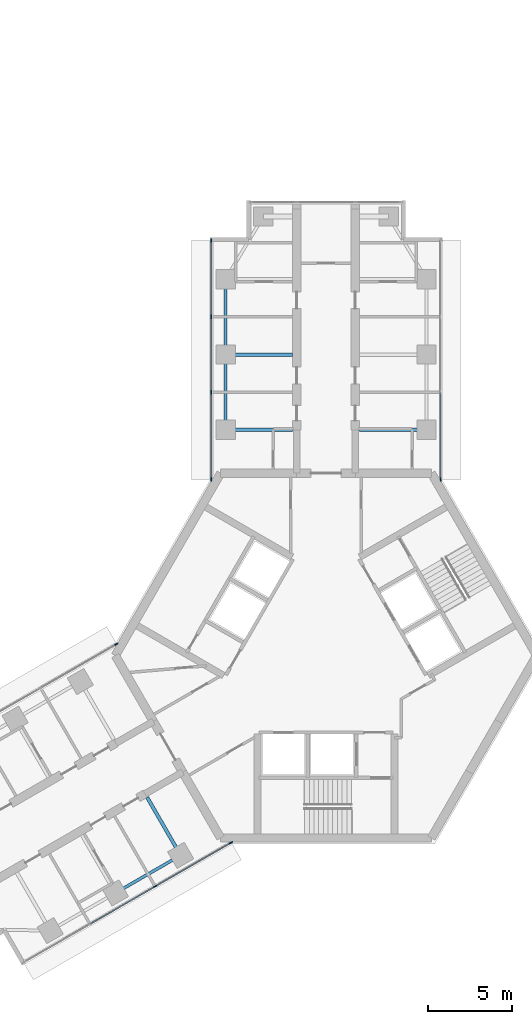
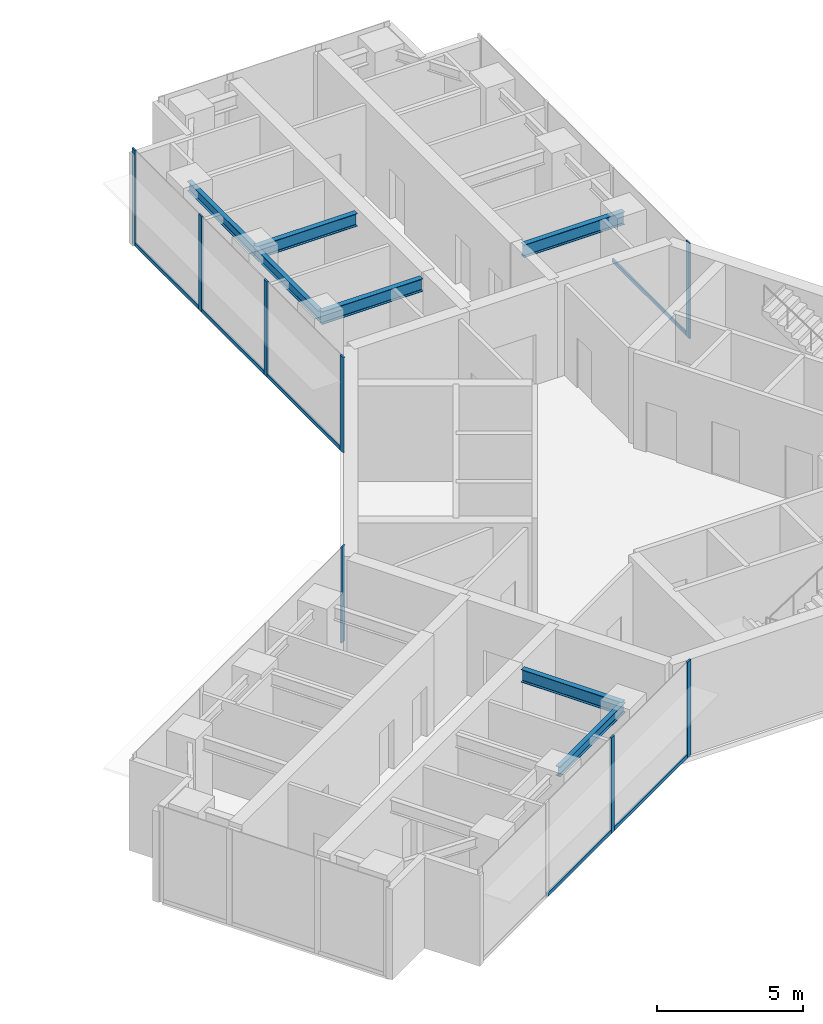
# One storey, part 8 of 17: 14 members, 7 beams, 4 elements without a shape of their own.
"""IFC4 building model written with IfcOpenShell, lengths in metres."""

from ifc_helpers import new_model, si_unit, direction, frame, origin, origin_2d, place, context, subcontext, project, spatial, rectangle, i_section, extrude, material, material_profile, profile_set, type_object, element, aggregate, save


model = new_model("IFC4")

# Units and contexts
model_context = context("Model", 3, precision=1e-05, world=origin(), true_north=direction((0.0, 1.0)))
body_context = subcontext(model_context, "Body", "Model", "MODEL_VIEW")
ifc_project = project(units=[si_unit("LENGTHUNIT", "METRE"), si_unit("AREAUNIT", "SQUARE_METRE"), si_unit("VOLUMEUNIT", "CUBIC_METRE"), si_unit("PLANEANGLEUNIT", "RADIAN"), si_unit("MASSUNIT", "GRAM", prefix="KILO")], contexts=[model_context])

# Site, building, storey
site_placement = place(None, origin())
site = spatial("IfcSite", under=ifc_project, at=site_placement, CompositionType="ELEMENT")
building_placement = place(site_placement, origin())
building = spatial("IfcBuilding", under=site, at=building_placement, Name="Upepo Twin Towers", CompositionType="ELEMENT")
storey_placement = place(building_placement, frame((0.0, 0.0, 214.5)))
storey = spatial("IfcBuildingStorey", under=building, at=storey_placement, Name="L52", CompositionType="ELEMENT", Elevation=214.5)

# Beams
ifc_material_1 = material(Name="Steel S355", Category="steel")
ifc_material_profile_1 = material_profile(ifc_material_1, i_section(OverallWidth=0.177978515625, OverallDepth=0.406494140625, WebThickness=0.0078125, FlangeThickness=0.0126953125, FilletRadius=0.01025390625, at=origin_2d()), Name="UB 406x178x60")
ifc_profile_set_1 = profile_set([ifc_material_profile_1], Name="Steel S355")
beam_type_1 = type_object("IfcBeamType", Name="Beam UB 406x178x60", PredefinedType="BEAM", material=ifc_profile_set_1)
for number, where, z_axis, x_axis, name in (
    (1, (52.5, -4.5, 3.5966796875), (0.0, 1.0, 0.0), (-1.0, 0.0, 0.0), "T2 edge beam AL 13.5-18.0"),
    (2, (52.5, 0.0, 3.5966796875), (0.0, 1.0, 0.0), (-1.0, 0.0, 0.0), "T2 edge beam AL 18.0-22.5"),
):
    element("IfcBeam", number, at=place(storey_placement, frame(where, z_axis=z_axis, x_axis=x_axis)), inside=storey, type_object=beam_type_1, Name=name, PredefinedType="BEAM", context=body_context, shape_type="SweptSolid", body=[
        extrude(i_section(OverallWidth=0.177978515625, OverallDepth=0.406494140625, WebThickness=0.0078125, FlangeThickness=0.0126953125, FilletRadius=0.01025390625, at=origin_2d()), origin(), (0.0, 0.0, 1.0), 4.5),
    ])
beam_placement = place(storey_placement, frame((49.80859375, -29.946044921875, 3.5966796875), z_axis=(-0.866017533419, -0.500013631625, 0.0), x_axis=(0.500013631625, -0.866017533419, 0.0)))
element("IfcBeam", 3, at=beam_placement, inside=storey, type_object=beam_type_1, Name="T2 edge beam BL 13.5-18.0", PredefinedType="BEAM", context=body_context, shape_type="SweptSolid", body=[
    extrude(i_section(OverallWidth=0.177978515625, OverallDepth=0.406494140625, WebThickness=0.0078125, FlangeThickness=0.0126953125, FilletRadius=0.01025390625, at=origin_2d()), origin(), (0.0, 0.0, 1.0), 4.499755859375),
])
ifc_material_2 = material(Name="Steel S355", Category="steel")
ifc_material_profile_2 = material_profile(ifc_material_2, i_section(OverallWidth=0.209228515625, OverallDepth=0.533203125, WebThickness=0.010009765625, FlangeThickness=0.015625, FilletRadius=0.0126953125, at=origin_2d()), Name="UB 533x210x92")
ifc_profile_set_2 = profile_set([ifc_material_profile_2], Name="Steel S355")
beam_type_2 = type_object("IfcBeamType", Name="Beam UB 533x210x92", PredefinedType="BEAM", material=ifc_profile_set_2)
for number, where, z_axis, x_axis, name in (
    (4, (52.5, -4.5, 3.533447265625), (1.0, 0.0, 0.0), (0.0, 1.0, 0.0), "T2 girder AL at 13.5"),
    (5, (52.5, 0.0, 3.533447265625), (1.0, 0.0, 0.0), (0.0, 1.0, 0.0), "T2 girder AL at 18.0"),
    (6, (64.5, -4.5, 3.533447265625), (-1.0, 0.0, 0.0), (0.0, -1.0, 0.0), "T2 girder AR at 13.5"),
    (7, (49.80859375, -29.946044921875, 3.533447265625), (-0.49999894854, 0.866026010844, 0.0), (-0.866026010844, -0.49999894854, 0.0), "T2 girder BL at 13.5"),
):
    element("IfcBeam", number, at=place(storey_placement, frame(where, z_axis=z_axis, x_axis=x_axis)), inside=storey, type_object=beam_type_2, Name=name, PredefinedType="BEAM", context=body_context, shape_type="SweptSolid", body=[
        extrude(i_section(OverallWidth=0.209228515625, OverallDepth=0.533203125, WebThickness=0.010009765625, FlangeThickness=0.015625, FilletRadius=0.0126953125, at=origin_2d()), origin(), (0.0, 0.0, 1.0), 4.0),
    ])

# Curtain wall, members
ifc_material_3 = material(Name="Aluminium and fritted glass", Category="aluminium")
curtain_wall_type = type_object("IfcCurtainWallType", Name="Tower curtain wall TW3, fritted glass", PredefinedType="NOTDEFINED", material=ifc_material_3)
curtain_wall_1_placement = place(storey_placement, origin())
curtain_wall_1 = element("IfcCurtainWall", 8, at=curtain_wall_1_placement, inside=storey, type_object=curtain_wall_type, Name="T2 L52 wing A flank L curtain wall", PredefinedType="NOTDEFINED")
ifc_material_4 = material(Name="Aluminium mullion", Category="aluminium")
ifc_material_profile_3 = material_profile(ifc_material_4, rectangle(XDim=0.06494140625, YDim=0.22509765625, at=origin_2d()), Name="MULLION 65x225")
ifc_profile_set_3 = profile_set([ifc_material_profile_3], Name="Aluminium mullion")
member_type_1 = type_object("IfcMemberType", Name="Mullion 65x225 TW3", PredefinedType="MULLION", material=ifc_profile_set_3)
member_1_placement = place(storey_placement, frame((51.64990234375, -7.48046875, 0.0), z_axis=(0.0, 0.0, 1.0), x_axis=(-1.0, 0.0, 0.0)))
member_1 = element("IfcMember", 9, at=member_1_placement, type_object=member_type_1, Name="T2 L52 wing A flank L curtain wall mullion 1", PredefinedType="MULLION", context=body_context, shape_type="SweptSolid", body=[
    extrude(rectangle(XDim=0.06494140625, YDim=0.22509765625, at=origin_2d()), origin(), (0.0, 0.0, 1.0), 4.0),
])
member_2_placement = place(storey_placement, frame((51.64990234375, -2.25, 0.0), z_axis=(0.0, 0.0, 1.0), x_axis=(-1.0, 0.0, 0.0)))
member_2 = element("IfcMember", 10, at=member_2_placement, type_object=member_type_1, Name="T2 L52 wing A flank L curtain wall mullion 2", PredefinedType="MULLION", context=body_context, shape_type="SweptSolid", body=[
    extrude(rectangle(XDim=0.06494140625, YDim=0.22509765625, at=origin_2d()), origin(), (0.0, 0.0, 1.0), 4.0),
])
member_3_placement = place(storey_placement, frame((51.64990234375, 2.25, 0.0), z_axis=(0.0, 0.0, 1.0), x_axis=(-1.0, 0.0, 0.0)))
member_3 = element("IfcMember", 11, at=member_3_placement, type_object=member_type_1, Name="T2 L52 wing A flank L curtain wall mullion 3", PredefinedType="MULLION", context=body_context, shape_type="SweptSolid", body=[
    extrude(rectangle(XDim=0.06494140625, YDim=0.22509765625, at=origin_2d()), origin(), (0.0, 0.0, 1.0), 4.0),
])
member_4_placement = place(storey_placement, frame((51.64990234375, 6.8173828125, 0.0), z_axis=(0.0, 0.0, 1.0), x_axis=(-1.0, 0.0, 0.0)))
member_4 = element("IfcMember", 12, at=member_4_placement, type_object=member_type_1, Name="T2 L52 wing A flank L curtain wall mullion 4", PredefinedType="MULLION", context=body_context, shape_type="SweptSolid", body=[
    extrude(rectangle(XDim=0.06494140625, YDim=0.22509765625, at=origin_2d()), origin(), (0.0, 0.0, 1.0), 4.0),
])

# Curtain wall, member
curtain_wall_2_placement = place(storey_placement, origin())
curtain_wall_2 = element("IfcCurtainWall", 13, at=curtain_wall_2_placement, inside=storey, type_object=curtain_wall_type, Name="T2 L52 wing A flank R curtain wall", PredefinedType="NOTDEFINED")
member_5_placement = place(storey_placement, frame((65.35009765625, -7.48046875, 0.0), z_axis=(0.0, 0.0, 1.0), x_axis=(1.0, 0.0, 0.0)))
member_5 = element("IfcMember", 14, at=member_5_placement, type_object=member_type_1, Name="T2 L52 wing A flank R curtain wall mullion 4", PredefinedType="MULLION", context=body_context, shape_type="SweptSolid", body=[
    extrude(rectangle(XDim=0.06494140625, YDim=0.22509765625, at=origin_2d()), origin(), (0.0, 0.0, 1.0), 4.0),
])

# Curtain wall, members
curtain_wall_3_placement = place(storey_placement, origin())
curtain_wall_3 = element("IfcCurtainWall", 15, at=curtain_wall_3_placement, inside=storey, type_object=curtain_wall_type, Name="T2 L52 wing B flank L curtain wall", PredefinedType="NOTDEFINED")
member_6_placement = place(storey_placement, frame((52.814697265625, -29.192138671875, 0.0), z_axis=(0.0, 0.0, 1.0), x_axis=(0.500000026527, -0.866025388469, 0.0)))
member_6 = element("IfcMember", 16, at=member_6_placement, type_object=member_type_1, Name="T2 L52 wing B flank L curtain wall mullion 1", PredefinedType="MULLION", context=body_context, shape_type="SweptSolid", body=[
    extrude(rectangle(XDim=0.06494140625, YDim=0.22509765625, at=origin_2d()), origin(), (0.0, 0.0, 1.0), 4.0),
])
member_7_placement = place(storey_placement, frame((48.28515625, -31.807373046875, 0.0), z_axis=(0.0, 0.0, 1.0), x_axis=(0.500000026527, -0.866025388469, 0.0)))
member_7 = element("IfcMember", 17, at=member_7_placement, type_object=member_type_1, Name="T2 L52 wing B flank L curtain wall mullion 2", PredefinedType="MULLION", context=body_context, shape_type="SweptSolid", body=[
    extrude(rectangle(XDim=0.06494140625, YDim=0.22509765625, at=origin_2d()), origin(), (0.0, 0.0, 1.0), 4.0),
])

# Curtain wall, member
curtain_wall_4_placement = place(storey_placement, origin())
curtain_wall_4 = element("IfcCurtainWall", 18, at=curtain_wall_4_placement, inside=storey, type_object=curtain_wall_type, Name="T2 L52 wing B flank R curtain wall", PredefinedType="NOTDEFINED")
member_8_placement = place(storey_placement, frame((45.96484375, -17.32763671875, 0.0), z_axis=(0.0, 0.0, 1.0), x_axis=(-0.500000026527, 0.866025388469, 0.0)))
member_8 = element("IfcMember", 19, at=member_8_placement, type_object=member_type_1, Name="T2 L52 wing B flank R curtain wall mullion 4", PredefinedType="MULLION", context=body_context, shape_type="SweptSolid", body=[
    extrude(rectangle(XDim=0.06494140625, YDim=0.22509765625, at=origin_2d()), origin(), (0.0, 0.0, 1.0), 4.0),
])
aggregate(curtain_wall_4, [member_8])

# Member
ifc_material_5 = material(Name="Aluminium transom", Category="aluminium")
ifc_material_profile_4 = material_profile(ifc_material_5, rectangle(XDim=0.06494140625, YDim=0.14990234375, at=origin_2d()), Name="TRANSOM 65x150")
ifc_profile_set_4 = profile_set([ifc_material_profile_4], Name="Aluminium transom")
member_type_2 = type_object("IfcMemberType", Name="Transom 65x150 TW3", PredefinedType="USERDEFINED", material=ifc_profile_set_4)
member_9_placement = place(storey_placement, frame((51.64990234375, -7.447998046875, 0.074951171875), z_axis=(0.0, 1.0, 0.0), x_axis=(-1.0, 0.0, 0.0)))
member_9 = element("IfcMember", 20, at=member_9_placement, type_object=member_type_2, Name="T2 L52 wing A flank L curtain wall transom 1", ObjectType="TRANSOM", PredefinedType="USERDEFINED", context=body_context, shape_type="SweptSolid", body=[
    extrude(rectangle(XDim=0.06494140625, YDim=0.14990234375, at=origin_2d()), origin(), (0.0, 0.0, 1.0), 5.16552734375),
])

member_10_placement = place(storey_placement, frame((51.64990234375, -2.217529296875, 0.074951171875), z_axis=(0.0, 1.0, 0.0), x_axis=(-1.0, 0.0, 0.0)))
member_10 = element("IfcMember", 21, at=member_10_placement, type_object=member_type_2, Name="T2 L52 wing A flank L curtain wall transom 2", ObjectType="TRANSOM", PredefinedType="USERDEFINED", context=body_context, shape_type="SweptSolid", body=[
    extrude(rectangle(XDim=0.06494140625, YDim=0.14990234375, at=origin_2d()), origin(), (0.0, 0.0, 1.0), 4.43505859375),
])

member_11_placement = place(storey_placement, frame((51.64990234375, 2.282470703125, 0.074951171875), z_axis=(0.0, 1.0, 0.0), x_axis=(-1.0, 0.0, 0.0)))
member_11 = element("IfcMember", 22, at=member_11_placement, type_object=member_type_2, Name="T2 L52 wing A flank L curtain wall transom 3", ObjectType="TRANSOM", PredefinedType="USERDEFINED", context=body_context, shape_type="SweptSolid", body=[
    extrude(rectangle(XDim=0.06494140625, YDim=0.14990234375, at=origin_2d()), origin(), (0.0, 0.0, 1.0), 4.50244140625),
])

aggregate(curtain_wall_1, [member_1, member_2, member_3, member_4, member_9, member_10, member_11])

member_12_placement = place(storey_placement, frame((65.35009765625, -2.282470703125, 0.074951171875), z_axis=(0.0, -1.0, 0.0), x_axis=(1.0, 0.0, 0.0)))
member_12 = element("IfcMember", 23, at=member_12_placement, type_object=member_type_2, Name="T2 L52 wing A flank R curtain wall transom 3", ObjectType="TRANSOM", PredefinedType="USERDEFINED", context=body_context, shape_type="SweptSolid", body=[
    extrude(rectangle(XDim=0.06494140625, YDim=0.14990234375, at=origin_2d()), origin(), (0.0, 0.0, 1.0), 5.16552734375),
])

aggregate(curtain_wall_2, [member_5, member_12])

member_13_placement = place(storey_placement, frame((52.78662109375, -29.208251953125, 0.074951171875), z_axis=(-0.86602108507, -0.500007480159, 0.0), x_axis=(0.500007480159, -0.86602108507, 0.0)))
member_13 = element("IfcMember", 24, at=member_13_placement, type_object=member_type_2, Name="T2 L52 wing B flank L curtain wall transom 1", ObjectType="TRANSOM", PredefinedType="USERDEFINED", context=body_context, shape_type="SweptSolid", body=[
    extrude(rectangle(XDim=0.06494140625, YDim=0.14990234375, at=origin_2d()), origin(), (0.0, 0.0, 1.0), 5.16552734375),
])

member_14_placement = place(storey_placement, frame((48.2568359375, -31.823486328125, 0.074951171875), z_axis=(-0.866022410713, -0.500005184116, 0.0), x_axis=(0.500005184116, -0.866022410713, 0.0)))
member_14 = element("IfcMember", 25, at=member_14_placement, type_object=member_type_2, Name="T2 L52 wing B flank L curtain wall transom 2", ObjectType="TRANSOM", PredefinedType="USERDEFINED", context=body_context, shape_type="SweptSolid", body=[
    extrude(rectangle(XDim=0.06494140625, YDim=0.14990234375, at=origin_2d()), origin(), (0.0, 0.0, 1.0), 4.43505859375),
])

aggregate(curtain_wall_3, [member_6, member_7, member_13, member_14])

save(model, "model.ifc")
